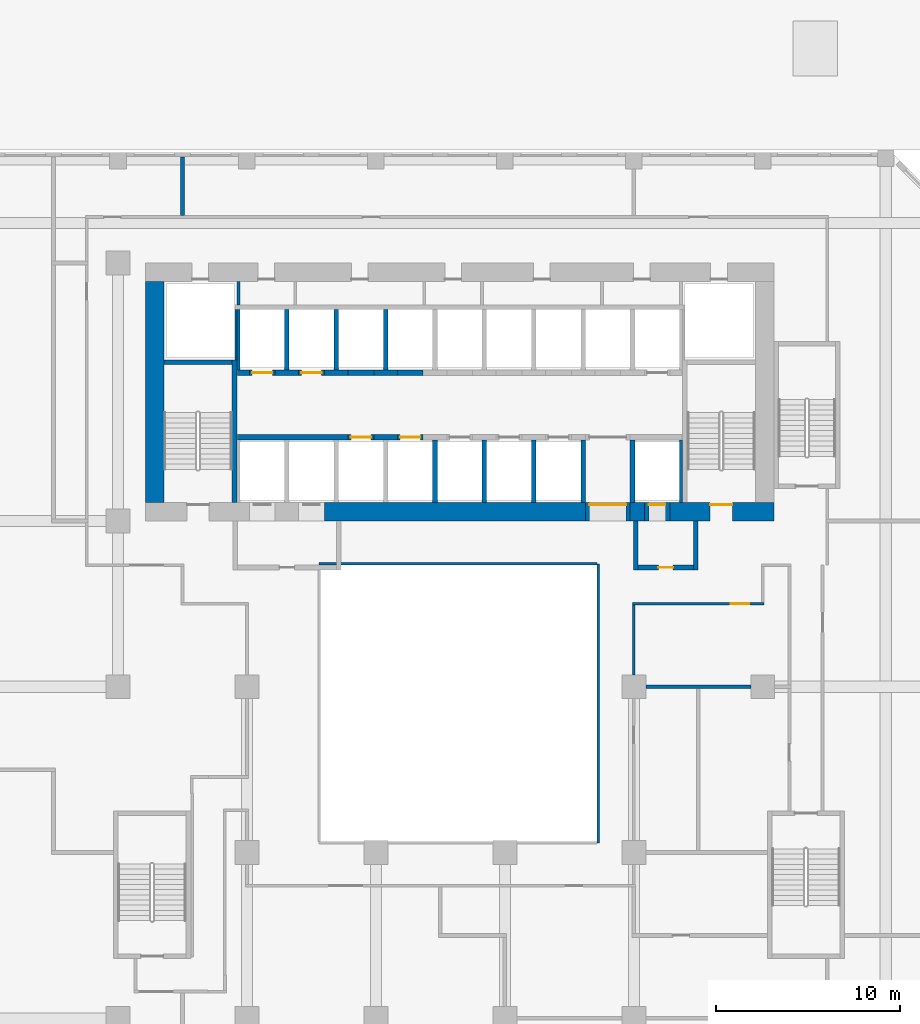
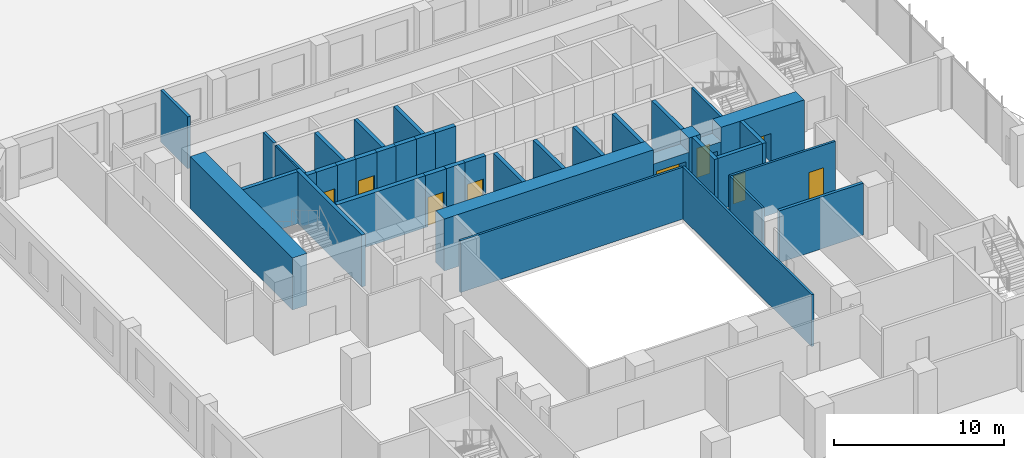
# One storey, part 17 of 29: 41 walls, 9 doors, 9 openings.
"""IFC4 building model written with IfcOpenShell, lengths in metres."""

from ifc_helpers import new_model, si_unit, direction, frame, frame_2d, origin, place, context, subcontext, project, spatial, rectangle, extrude, source, transform, mapped, material, layer, layer_set, type_object, element, fill, save


model = new_model("IFC4")

# Units and contexts
model_context = context("Model", 3, precision=1e-05, world=origin(), true_north=direction((0.0, 1.0)))
body_context = subcontext(model_context, "Body", "Model", "MODEL_VIEW")
ifc_project = project(units=[si_unit("LENGTHUNIT", "METRE"), si_unit("AREAUNIT", "SQUARE_METRE"), si_unit("VOLUMEUNIT", "CUBIC_METRE"), si_unit("PLANEANGLEUNIT", "RADIAN"), si_unit("MASSUNIT", "GRAM", prefix="KILO")], contexts=[model_context])

# Site, building, storey
site_placement = place(None, origin())
site = spatial("IfcSite", under=ifc_project, at=site_placement, CompositionType="ELEMENT")
building_placement = place(site_placement, origin())
building = spatial("IfcBuilding", under=site, at=building_placement, Name="Kilnfold Tower and Market Hall", CompositionType="ELEMENT")
storey_placement = place(building_placement, frame((0.0, 0.0, 27.0)))
storey = spatial("IfcBuildingStorey", under=building, at=storey_placement, Name="L05", CompositionType="ELEMENT", Elevation=27.0)

# Walls
ifc_material_1 = material(Name="Fire-resisting glazed screen")
ifc_layer_1 = layer(ifc_material_1, 0.14990234375)
ifc_layer_set_1 = layer_set([ifc_layer_1], Name="Fire-resisting glazed screen")
wall_type_1 = type_object("IfcWallType", Name="WALL ATRIUM 150", PredefinedType="PARTITIONING", material=ifc_layer_set_1)
wall_1_placement = place(storey_placement, frame((-6.574951171875, 5.675048828125, 0.0), z_axis=(0.0, 0.0, 1.0), x_axis=(1.0, 0.0, 0.0)))
element("IfcWall", 1, at=wall_1_placement, inside=storey, type_object=wall_type_1, Name="Partition LY06.62", PredefinedType="PARTITIONING", context=body_context, shape_type="SweptSolid", body=[
    extrude(rectangle(XDim=15.074951171875, YDim=0.14990234375, at=frame_2d((7.53759765625, 0.0))), origin(), (0.0, 0.0, 1.0), 3.719970703125),
])
wall_2_placement = place(storey_placement, frame((8.574951171875, 5.675048828125, 0.0), z_axis=(0.0, 0.0, 1.0), x_axis=(0.0, -1.0, 0.0)))
element("IfcWall", 2, at=wall_2_placement, inside=storey, type_object=wall_type_1, Name="Partition LY06.63", PredefinedType="PARTITIONING", context=body_context, shape_type="SweptSolid", body=[
    extrude(rectangle(XDim=15.150146484375, YDim=0.14990234375, at=frame_2d((7.5751953125, 0.0))), origin(), (0.0, 0.0, 1.0), 3.719970703125),
])

# Wall, opening, door
ifc_material_2 = material(Name="Gypsum board on steel studs", Category="steel")
ifc_layer_2 = layer(ifc_material_2, 0.14990234375)
ifc_layer_set_2 = layer_set([ifc_layer_2], Name="Gypsum board on steel studs")
wall_type_2 = type_object("IfcWallType", Name="WALL CORRIDOR 150", PredefinedType="PARTITIONING", material=ifc_layer_set_2)
wall_3_placement = place(storey_placement, frame((10.425048828125, 3.5, 0.0), z_axis=(0.0, 0.0, 1.0), x_axis=(1.0, 0.0, 0.0)))
wall_3 = element("IfcWall", 3, at=wall_3_placement, inside=storey, type_object=wall_type_2, Name="Partition LY06.26", PredefinedType="PARTITIONING", context=body_context, shape_type="SweptSolid", body=[
    extrude(rectangle(XDim=7.14990234375, YDim=0.14990234375, at=frame_2d((3.574951171875, 0.0))), origin(), (0.0, 0.0, 1.0), 3.719970703125),
])
opening_1_placement = place(wall_3_placement, frame((5.344970703125, 0.0, 0.0)))
opening_1 = element("IfcOpeningElement", 4, at=opening_1_placement, cuts=wall_3, Name="Opening D1", PredefinedType="OPENING", context=body_context, shape_type="SweptSolid", body=[
    extrude(rectangle(XDim=1.0, YDim=2.10009765625, at=frame_2d((0.5, 1.050048828125))), frame((0.0, 0.0849609375, 0.0), z_axis=(0.0, -1.0, 0.0), x_axis=(1.0, 0.0, 0.0)), (0.0, 0.0, 1.0), 0.169921875),
])
ifc_material_3 = material(Name="Timber veneer door leaf in steel frame", Category="steel")
door_type_1 = type_object("IfcDoorType", Name="DOOR ENTRY 1000 X2100", OperationType="NOTDEFINED", PredefinedType="DOOR", material=ifc_material_3)
door_1_placement = place(opening_1_placement, origin())
door_1 = element("IfcDoor", 5, at=door_1_placement, inside=storey, type_object=door_type_1, Name="Door D1", OperationType="SINGLE_SWING_RIGHT", OverallHeight=2.10009765625, OverallWidth=1.0, PredefinedType="DOOR", context=body_context, shape_type="SweptSolid", body=[
    extrude(rectangle(XDim=1.0, YDim=2.10009765625, at=frame_2d((0.5, 1.050048828125))), frame((0.0, 0.02490234375, 0.0), z_axis=(0.0, -1.0, 0.0), x_axis=(1.0, 0.0, 0.0)), (0.0, 0.0, 1.0), 0.050048828125),
])
fill(opening_1, door_1)

# Walls
wall_4_placement = place(storey_placement, frame((10.5, -0.35009765625, 0.0), z_axis=(0.0, 0.0, 1.0), x_axis=(0.0, 1.0, 0.0)))
element("IfcWall", 6, at=wall_4_placement, inside=storey, type_object=wall_type_2, Name="Partition LY06.27", PredefinedType="PARTITIONING", context=body_context, shape_type="SweptSolid", body=[
    extrude(rectangle(XDim=3.775146484375, YDim=0.14990234375, at=frame_2d((1.8876953125, 0.0))), origin(), (0.0, 0.0, 1.0), 3.719970703125),
])
ifc_material_4 = material(Name="Gypsum board on steel studs", Category="steel")
ifc_layer_3 = layer(ifc_material_4, 0.199951171875)
ifc_layer_set_3 = layer_set([ifc_layer_3], Name="Gypsum board on steel studs")
wall_type_3 = type_object("IfcWallType", Name="WALL PARTY 200", PredefinedType="PARTITIONING", material=ifc_layer_set_3)
wall_5_placement = place(storey_placement, frame((11.14990234375, -1.0, 0.0), z_axis=(0.0, 0.0, 1.0), x_axis=(1.0, 0.0, 0.0)))
element("IfcWall", 7, at=wall_5_placement, inside=storey, type_object=wall_type_3, Name="Partition LY06.54", PredefinedType="PARTITIONING", context=body_context, shape_type="SweptSolid", body=[
    extrude(rectangle(XDim=5.7001953125, YDim=0.199951171875, at=frame_2d((2.85009765625, 0.0))), origin(), (0.0, 0.0, 1.0), 3.719970703125),
])
wall_6_placement = place(storey_placement, frame((-14.0, 24.575927734375, 0.0), z_axis=(0.0, 0.0, 1.0), x_axis=(0.0, 1.0, 0.0)))
element("IfcWall", 8, at=wall_6_placement, inside=storey, type_object=wall_type_3, Name="Partition LY06.58", PredefinedType="PARTITIONING", context=body_context, shape_type="SweptSolid", body=[
    extrude(rectangle(XDim=3.174072265625, YDim=0.199951171875, at=frame_2d((1.5869140625, 0.0))), origin(), (0.0, 0.0, 1.0), 3.719970703125),
])
ifc_material_5 = material(Name="Concrete C80", Category="concrete")
ifc_layer_4 = layer(ifc_material_5, 1.0)
ifc_layer_set_4 = layer_set([ifc_layer_4], Name="Concrete C80")
wall_type_4 = type_object("IfcWallType", Name="CORE WALL 1000 C80", PredefinedType="SHEAR", material=ifc_layer_set_4)
shared_shape_1 = source(origin(), body_context, "Body", "SweptSolid", [
    extrude(rectangle(XDim=14.179931640625, YDim=1.0, at=frame_2d((7.08984375, 0.0))), origin(), (0.0, 0.0, 1.0), 3.719970703125),
])
wall_7_placement = place(storey_placement, frame((-6.2900390625, 8.5, 0.0), z_axis=(0.0, 0.0, 1.0), x_axis=(1.0, 0.0, 0.0)))
element("IfcWall", 9, at=wall_7_placement, inside=storey, type_object=wall_type_4, Name="Core outer wall south", PredefinedType="SHEAR", context=body_context, shape_type="MappedRepresentation", body=[
    mapped(shared_shape_1, transform((0.0, 0.0, 0.0))),
])
shared_shape_2 = source(origin(), body_context, "Body", "SweptSolid", [
    extrude(rectangle(XDim=0.780029296875, YDim=1.0, at=frame_2d((0.39013671875, 0.0))), origin(), (0.0, 0.0, 1.0), 3.719970703125),
])
wall_8_placement = place(storey_placement, frame((10.2900390625, 8.5, 0.0), z_axis=(0.0, 0.0, 1.0), x_axis=(1.0, 0.0, 0.0)))
element("IfcWall", 10, at=wall_8_placement, inside=storey, type_object=wall_type_4, Name="Core outer wall south", PredefinedType="SHEAR", context=body_context, shape_type="MappedRepresentation", body=[
    mapped(shared_shape_2, transform((0.0, 0.0, 0.0))),
])

# Wall, opening, door
shared_shape_3 = source(origin(), body_context, "Body", "SweptSolid", [
    extrude(rectangle(XDim=5.630126953125, YDim=1.0, at=frame_2d((2.81494140625, 0.0))), origin(), (0.0, 0.0, 1.0), 3.719970703125),
])
wall_9_placement = place(storey_placement, frame((12.469970703125, 8.5, 0.0), z_axis=(0.0, 0.0, 1.0), x_axis=(1.0, 0.0, 0.0)))
wall_9 = element("IfcWall", 11, at=wall_9_placement, inside=storey, type_object=wall_type_4, Name="Core outer wall south", PredefinedType="SHEAR", context=body_context, shape_type="MappedRepresentation", body=[
    mapped(shared_shape_3, transform((0.0, 0.0, 0.0))),
])
opening_2_placement = place(wall_9_placement, frame((2.179931640625, 0.0, 0.0)))
opening_2 = element("IfcOpeningElement", 12, at=opening_2_placement, cuts=wall_9, Name="Opening SD1", PredefinedType="OPENING", context=body_context, shape_type="SweptSolid", body=[
    extrude(rectangle(XDim=1.199951171875, YDim=2.10009765625, at=frame_2d((0.60009765625, 1.050048828125))), frame((0.0, 0.510009765625, 0.0), z_axis=(0.0, -1.0, 0.0), x_axis=(1.0, 0.0, 0.0)), (0.0, 0.0, 1.0), 1.02001953125),
])
ifc_material_6 = material(Name="Steel door set with fire-resisting leaf", Category="steel")
door_type_2 = type_object("IfcDoorType", Name="STAIR FLOOR DOOR 1200X2100", OperationType="NOTDEFINED", PredefinedType="DOOR", material=ifc_material_6)
door_2_placement = place(opening_2_placement, origin())
door_2 = element("IfcDoor", 13, at=door_2_placement, inside=storey, type_object=door_type_2, Name="Exit stair ST2 door", OperationType="DOUBLE_DOOR_SINGLE_SWING", OverallHeight=2.10009765625, OverallWidth=1.199951171875, PredefinedType="DOOR", context=body_context, shape_type="SweptSolid", body=[
    extrude(rectangle(XDim=1.199951171875, YDim=2.10009765625, at=frame_2d((0.60009765625, 1.050048828125))), frame((0.0, 0.40478515625, 0.0), z_axis=(0.0, -1.0, 0.0), x_axis=(1.0, 0.0, 0.0)), (0.0, 0.0, 1.0), 0.050048828125),
])
fill(opening_2, door_2)

# Walls
shared_shape_4 = source(origin(), body_context, "Body", "SweptSolid", [
    extrude(rectangle(XDim=12.0, YDim=1.0, at=frame_2d((6.0, 0.0))), origin(), (0.0, 0.0, 1.0), 3.719970703125),
])
wall_10_placement = place(storey_placement, frame((-15.5, 9.0, 0.0), z_axis=(0.0, 0.0, 1.0), x_axis=(0.0, 1.0, 0.0)))
element("IfcWall", 14, at=wall_10_placement, inside=storey, type_object=wall_type_4, Name="Core outer wall west", PredefinedType="SHEAR", context=body_context, shape_type="MappedRepresentation", body=[
    mapped(shared_shape_4, transform((0.0, 0.0, 0.0))),
])
ifc_material_7 = material(Name="Concrete C80", Category="concrete")
ifc_layer_5 = layer(ifc_material_7, 0.25)
ifc_layer_set_5 = layer_set([ifc_layer_5], Name="Concrete C80")
wall_type_5 = type_object("IfcWallType", Name="CORE WALL 250 C80", PredefinedType="SHEAR", material=ifc_layer_set_5)
shared_shape_5 = source(origin(), body_context, "Body", "SweptSolid", [
    extrude(rectangle(XDim=7.75, YDim=0.25, at=frame_2d((3.875, 0.0))), origin(), (0.0, 0.0, 1.0), 3.719970703125),
])
wall_11_placement = place(storey_placement, frame((-11.175048828125, 9.0, 0.0), z_axis=(0.0, 0.0, 1.0), x_axis=(0.0, 1.0, 0.0)))
element("IfcWall", 15, at=wall_11_placement, inside=storey, type_object=wall_type_5, Name="Stair enclosure ST1", PredefinedType="SHEAR", context=body_context, shape_type="MappedRepresentation", body=[
    mapped(shared_shape_5, transform((0.0, 0.0, 0.0))),
])
shared_shape_6 = source(origin(), body_context, "Body", "SweptSolid", [
    extrude(rectangle(XDim=3.699951171875, YDim=0.25, at=frame_2d((1.85009765625, 0.0))), origin(), (0.0, 0.0, 1.0), 3.719970703125),
])
wall_12_placement = place(storey_placement, frame((-15.0, 16.625, 0.0), z_axis=(0.0, 0.0, 1.0), x_axis=(1.0, 0.0, 0.0)))
element("IfcWall", 16, at=wall_12_placement, inside=storey, type_object=wall_type_5, Name="Stair enclosure ST1", PredefinedType="SHEAR", context=body_context, shape_type="MappedRepresentation", body=[
    mapped(shared_shape_6, transform((0.0, 0.0, 0.0))),
])
ifc_material_8 = material(Name="Concrete C80", Category="concrete")
ifc_layer_6 = layer(ifc_material_8, 0.300048828125)
ifc_layer_set_6 = layer_set([ifc_layer_6], Name="Concrete C80")
wall_type_6 = type_object("IfcWallType", Name="CORE WALL 300 C80", PredefinedType="SHEAR", material=ifc_layer_set_6)
shared_shape_7 = source(origin(), body_context, "Body", "SweptSolid", [
    extrude(rectangle(XDim=6.0, YDim=0.300048828125, at=frame_2d((3.0, 0.0))), origin(), (0.0, 0.0, 1.0), 3.719970703125),
])
wall_13_placement = place(storey_placement, frame((-11.010009765625, 12.550048828125, 0.0), z_axis=(0.0, 0.0, 1.0), x_axis=(1.0, 0.0, 0.0)))
element("IfcWall", 17, at=wall_13_placement, inside=storey, type_object=wall_type_6, Name="Core spine wall", PredefinedType="SHEAR", context=body_context, shape_type="MappedRepresentation", body=[
    mapped(shared_shape_7, transform((0.0, 0.0, 0.0))),
])
shared_shape_8 = source(origin(), body_context, "Body", "SweptSolid", [
    extrude(rectangle(XDim=1.280029296875, YDim=0.300048828125, at=frame_2d((0.64013671875, 0.0))), origin(), (0.0, 0.0, 1.0), 3.719970703125),
])
for number, where, z_axis, x_axis, name in (
    (18, (-3.610107421875, 12.550048828125, 0.0), (0.0, 0.0, 1.0), (1.0, 0.0, 0.0), "Core spine wall"),
    (19, (-8.969970703125, 16.050048828125, 0.0), (0.0, 0.0, 1.0), (1.0, 0.0, 0.0), "Core spine wall"),
    (20, (-6.2900390625, 16.050048828125, 0.0), (0.0, 0.0, 1.0), (1.0, 0.0, 0.0), "Core spine wall"),
    (21, (-3.610107421875, 16.050048828125, 0.0), (0.0, 0.0, 1.0), (1.0, 0.0, 0.0), "Core spine wall"),
):
    element("IfcWall", number, at=place(storey_placement, frame(where, z_axis=z_axis, x_axis=x_axis)), inside=storey, type_object=wall_type_6, Name=name, PredefinedType="SHEAR", context=body_context, shape_type="MappedRepresentation", body=[
        mapped(shared_shape_8, transform((0.0, 0.0, 0.0))),
    ])
shared_shape_9 = source(origin(), body_context, "Body", "SweptSolid", [
    extrude(rectangle(XDim=0.639892578125, YDim=0.300048828125, at=frame_2d((0.31982421875, 0.0))), origin(), (0.0, 0.0, 1.0), 3.719970703125),
])
wall_14_placement = place(storey_placement, frame((-11.010009765625, 16.050048828125, 0.0), z_axis=(0.0, 0.0, 1.0), x_axis=(1.0, 0.0, 0.0)))
element("IfcWall", 22, at=wall_14_placement, inside=storey, type_object=wall_type_6, Name="Core spine wall", PredefinedType="SHEAR", context=body_context, shape_type="MappedRepresentation", body=[
    mapped(shared_shape_9, transform((0.0, 0.0, 0.0))),
])

# Wall, opening, door
ifc_material_9 = material(Name="Gypsum shaft wall system")
ifc_layer_7 = layer(ifc_material_9, 1.0)
ifc_layer_set_7 = layer_set([ifc_layer_7], Name="Gypsum shaft wall system")
wall_type_7 = type_object("IfcWallType", Name="LOBBY WALL 1000", PredefinedType="PARTITIONING", material=ifc_layer_set_7)
shared_shape_10 = source(origin(), body_context, "Body", "SweptSolid", [
    extrude(rectangle(XDim=1.39990234375, YDim=1.0, at=frame_2d((0.699951171875, 0.0))), origin(), (0.0, 0.0, 1.0), 2.699951171875),
])
wall_15_placement = place(storey_placement, frame((11.070068359375, 8.5, 0.0), z_axis=(0.0, 0.0, 1.0), x_axis=(1.0, 0.0, 0.0)))
wall_15 = element("IfcWall", 23, at=wall_15_placement, inside=storey, type_object=wall_type_7, Name="Core wall infill", PredefinedType="PARTITIONING", context=body_context, shape_type="MappedRepresentation", body=[
    mapped(shared_shape_10, transform((0.0, 0.0, 0.0))),
])
opening_3_placement = place(wall_15_placement, frame((0.25, 0.0, 0.0)))
opening_3 = element("IfcOpeningElement", 24, at=opening_3_placement, cuts=wall_15, Name="Opening LD1", PredefinedType="OPENING", context=body_context, shape_type="SweptSolid", body=[
    extrude(rectangle(XDim=0.89990234375, YDim=2.10009765625, at=frame_2d((0.449951171875, 1.050048828125))), frame((0.0, 0.510009765625, 0.0), z_axis=(0.0, -1.0, 0.0), x_axis=(1.0, 0.0, 0.0)), (0.0, 0.0, 1.0), 1.02001953125),
])
ifc_material_10 = material(Name="Steel door set with fire-resisting leaf", Category="steel")
door_type_3 = type_object("IfcDoorType", Name="FIREFIGHTING LANDING DOOR 900X2100", OperationType="NOTDEFINED", PredefinedType="DOOR", material=ifc_material_10)
door_3_placement = place(opening_3_placement, origin())
door_3 = element("IfcDoor", 25, at=door_3_placement, inside=storey, type_object=door_type_3, Name="Landing door FF3", OperationType="SLIDING_TO_LEFT", OverallHeight=2.10009765625, OverallWidth=0.89990234375, PredefinedType="DOOR", context=body_context, shape_type="SweptSolid", body=[
    extrude(rectangle(XDim=0.89990234375, YDim=2.10009765625, at=frame_2d((0.449951171875, 1.050048828125))), frame((0.0, 0.40478515625, 0.0), z_axis=(0.0, -1.0, 0.0), x_axis=(1.0, 0.0, 0.0)), (0.0, 0.0, 1.0), 0.050048828125),
])
fill(opening_3, door_3)

shared_shape_11 = source(origin(), body_context, "Body", "SweptSolid", [
    extrude(rectangle(XDim=2.400146484375, YDim=1.0, at=frame_2d((1.2001953125, 0.0))), origin(), (0.0, 0.0, 1.0), 2.699951171875),
])
wall_16_placement = place(storey_placement, frame((7.889892578125, 8.5, 0.0), z_axis=(0.0, 0.0, 1.0), x_axis=(1.0, 0.0, 0.0)))
wall_16 = element("IfcWall", 26, at=wall_16_placement, inside=storey, type_object=wall_type_7, Name="Core wall infill", PredefinedType="PARTITIONING", context=body_context, shape_type="MappedRepresentation", body=[
    mapped(shared_shape_11, transform((0.0, 0.0, 0.0))),
])
opening_4_placement = place(wall_16_placement, frame((0.199951171875, 0.0, 0.0)))
opening_4 = element("IfcOpeningElement", 27, at=opening_4_placement, cuts=wall_16, Name="Opening VD2", PredefinedType="OPENING", context=body_context, shape_type="SweptSolid", body=[
    extrude(rectangle(XDim=2.0, YDim=2.10009765625, at=frame_2d((1.0, 1.050048828125))), frame((0.0, 0.510009765625, 0.0), z_axis=(0.0, -1.0, 0.0), x_axis=(1.0, 0.0, 0.0)), (0.0, 0.0, 1.0), 1.02001953125),
])
ifc_material_11 = material(Name="Steel door set with fire-resisting leaf", Category="steel")
door_type_4 = type_object("IfcDoorType", Name="LIFT LOBBY ENTRANCE DOOR 2000X2100", OperationType="NOTDEFINED", PredefinedType="DOOR", material=ifc_material_11)
door_4_placement = place(opening_4_placement, origin())
door_4 = element("IfcDoor", 28, at=door_4_placement, inside=storey, type_object=door_type_4, Name="Lift lobby entrance door", OperationType="DOUBLE_DOOR_SINGLE_SWING", OverallHeight=2.10009765625, OverallWidth=2.0, PredefinedType="DOOR", context=body_context, shape_type="SweptSolid", body=[
    extrude(rectangle(XDim=2.0, YDim=2.10009765625, at=frame_2d((1.0, 1.050048828125))), frame((0.0, 0.40478515625, 0.0), z_axis=(0.0, -1.0, 0.0), x_axis=(1.0, 0.0, 0.0)), (0.0, 0.0, 1.0), 0.050048828125),
])
fill(opening_4, door_4)

ifc_material_12 = material(Name="Gypsum shaft wall system")
ifc_layer_8 = layer(ifc_material_12, 0.300048828125)
ifc_layer_set_8 = layer_set([ifc_layer_8], Name="Gypsum shaft wall system")
wall_type_8 = type_object("IfcWallType", Name="SHAFT WALL 300", PredefinedType="PARTITIONING", material=ifc_layer_set_8)
shared_shape_12 = source(origin(), body_context, "Body", "SweptSolid", [
    extrude(rectangle(XDim=1.39990234375, YDim=0.300048828125, at=frame_2d((0.699951171875, 0.0))), origin(), (0.0, 0.0, 1.0), 3.719970703125),
])
wall_17_placement = place(storey_placement, frame((-5.010009765625, 12.550048828125, 0.0), z_axis=(0.0, 0.0, 1.0), x_axis=(1.0, 0.0, 0.0)))
wall_17 = element("IfcWall", 29, at=wall_17_placement, inside=storey, type_object=wall_type_8, Name="Lift shaft front wall", PredefinedType="PARTITIONING", context=body_context, shape_type="MappedRepresentation", body=[
    mapped(shared_shape_12, transform((0.0, 0.0, 0.0))),
])
opening_5_placement = place(wall_17_placement, frame((0.14990234375, 0.0, 0.0)))
opening_5 = element("IfcOpeningElement", 30, at=opening_5_placement, cuts=wall_17, Name="Opening LD2", PredefinedType="OPENING", context=body_context, shape_type="SweptSolid", body=[
    extrude(rectangle(XDim=1.10009765625, YDim=2.10009765625, at=frame_2d((0.550048828125, 1.050048828125))), frame((0.0, 0.16015625, 0.0), z_axis=(0.0, -1.0, 0.0), x_axis=(1.0, 0.0, 0.0)), (0.0, 0.0, 1.0), 0.320068359375),
])
ifc_material_13 = material(Name="Steel door set with fire-resisting leaf", Category="steel")
door_type_5 = type_object("IfcDoorType", Name="LANDING DOOR 1100X2100", OperationType="NOTDEFINED", PredefinedType="DOOR", material=ifc_material_13)
door_5_placement = place(opening_5_placement, origin())
door_5 = element("IfcDoor", 31, at=door_5_placement, inside=storey, type_object=door_type_5, Name="Landing door LR1", OperationType="DOUBLE_DOOR_SLIDING", OverallHeight=2.10009765625, OverallWidth=1.10009765625, PredefinedType="DOOR", context=body_context, shape_type="SweptSolid", body=[
    extrude(rectangle(XDim=1.10009765625, YDim=2.10009765625, at=frame_2d((0.550048828125, 1.050048828125))), frame((0.0, 0.02490234375, 0.0), z_axis=(0.0, -1.0, 0.0), x_axis=(1.0, 0.0, 0.0)), (0.0, 0.0, 1.0), 0.050048828125),
])
fill(opening_5, door_5)

wall_18_placement = place(storey_placement, frame((-7.68994140625, 16.050048828125, 0.0), z_axis=(0.0, 0.0, 1.0), x_axis=(1.0, 0.0, 0.0)))
wall_18 = element("IfcWall", 32, at=wall_18_placement, inside=storey, type_object=wall_type_8, Name="Lift shaft front wall", PredefinedType="PARTITIONING", context=body_context, shape_type="MappedRepresentation", body=[
    mapped(shared_shape_12, transform((0.0, 0.0, 0.0))),
])
opening_6_placement = place(wall_18_placement, frame((0.14990234375, 0.0, 0.0)))
opening_6 = element("IfcOpeningElement", 33, at=opening_6_placement, cuts=wall_18, Name="Opening LD2", PredefinedType="OPENING", context=body_context, shape_type="SweptSolid", body=[
    extrude(rectangle(XDim=1.10009765625, YDim=2.10009765625, at=frame_2d((0.550048828125, 1.050048828125))), frame((0.0, 0.16015625, 0.0), z_axis=(0.0, -1.0, 0.0), x_axis=(1.0, 0.0, 0.0)), (0.0, 0.0, 1.0), 0.320068359375),
])
door_6_placement = place(opening_6_placement, origin())
door_6 = element("IfcDoor", 34, at=door_6_placement, inside=storey, type_object=door_type_5, Name="Landing door LR8", OperationType="DOUBLE_DOOR_SLIDING", OverallHeight=2.10009765625, OverallWidth=1.10009765625, PredefinedType="DOOR", context=body_context, shape_type="SweptSolid", body=[
    extrude(rectangle(XDim=1.10009765625, YDim=2.10009765625, at=frame_2d((0.550048828125, 1.050048828125))), frame((0.0, 0.02490234375, 0.0), z_axis=(0.0, -1.0, 0.0), x_axis=(1.0, 0.0, 0.0)), (0.0, 0.0, 1.0), 0.050048828125),
])
fill(opening_6, door_6)

# Wall
wall_19_placement = place(storey_placement, frame((-5.010009765625, 16.050048828125, 0.0), z_axis=(0.0, 0.0, 1.0), x_axis=(1.0, 0.0, 0.0)))
element("IfcWall", 35, at=wall_19_placement, inside=storey, type_object=wall_type_8, Name="Lift shaft front wall", PredefinedType="PARTITIONING", context=body_context, shape_type="MappedRepresentation", body=[
    mapped(shared_shape_12, transform((0.0, 0.0, 0.0))),
])

# Wall, opening, door
shared_shape_13 = source(origin(), body_context, "Body", "SweptSolid", [
    extrude(rectangle(XDim=1.400146484375, YDim=0.300048828125, at=frame_2d((0.7001953125, 0.0))), origin(), (0.0, 0.0, 1.0), 3.719970703125),
])
wall_20_placement = place(storey_placement, frame((-2.330078125, 12.550048828125, 0.0), z_axis=(0.0, 0.0, 1.0), x_axis=(1.0, 0.0, 0.0)))
wall_20 = element("IfcWall", 36, at=wall_20_placement, inside=storey, type_object=wall_type_8, Name="Lift shaft front wall", PredefinedType="PARTITIONING", context=body_context, shape_type="MappedRepresentation", body=[
    mapped(shared_shape_13, transform((0.0, 0.0, 0.0))),
])
opening_7_placement = place(wall_20_placement, frame((0.14990234375, 0.0, 0.0)))
opening_7 = element("IfcOpeningElement", 37, at=opening_7_placement, cuts=wall_20, Name="Opening LD2", PredefinedType="OPENING", context=body_context, shape_type="SweptSolid", body=[
    extrude(rectangle(XDim=1.10009765625, YDim=2.10009765625, at=frame_2d((0.550048828125, 1.050048828125))), frame((0.0, 0.16015625, 0.0), z_axis=(0.0, -1.0, 0.0), x_axis=(1.0, 0.0, 0.0)), (0.0, 0.0, 1.0), 0.320068359375),
])
door_7_placement = place(opening_7_placement, origin())
door_7 = element("IfcDoor", 38, at=door_7_placement, inside=storey, type_object=door_type_5, Name="Landing door LR2", OperationType="DOUBLE_DOOR_SLIDING", OverallHeight=2.10009765625, OverallWidth=1.10009765625, PredefinedType="DOOR", context=body_context, shape_type="SweptSolid", body=[
    extrude(rectangle(XDim=1.10009765625, YDim=2.10009765625, at=frame_2d((0.550048828125, 1.050048828125))), frame((0.0, 0.02490234375, 0.0), z_axis=(0.0, -1.0, 0.0), x_axis=(1.0, 0.0, 0.0)), (0.0, 0.0, 1.0), 0.050048828125),
])
fill(opening_7, door_7)

wall_21_placement = place(storey_placement, frame((-10.3701171875, 16.050048828125, 0.0), z_axis=(0.0, 0.0, 1.0), x_axis=(1.0, 0.0, 0.0)))
wall_21 = element("IfcWall", 39, at=wall_21_placement, inside=storey, type_object=wall_type_8, Name="Lift shaft front wall", PredefinedType="PARTITIONING", context=body_context, shape_type="MappedRepresentation", body=[
    mapped(shared_shape_13, transform((0.0, 0.0, 0.0))),
])
opening_8_placement = place(wall_21_placement, frame((0.14990234375, 0.0, 0.0)))
opening_8 = element("IfcOpeningElement", 40, at=opening_8_placement, cuts=wall_21, Name="Opening LD2", PredefinedType="OPENING", context=body_context, shape_type="SweptSolid", body=[
    extrude(rectangle(XDim=1.10009765625, YDim=2.10009765625, at=frame_2d((0.550048828125, 1.050048828125))), frame((0.0, 0.16015625, 0.0), z_axis=(0.0, -1.0, 0.0), x_axis=(1.0, 0.0, 0.0)), (0.0, 0.0, 1.0), 0.320068359375),
])
door_8_placement = place(opening_8_placement, origin())
door_8 = element("IfcDoor", 41, at=door_8_placement, inside=storey, type_object=door_type_5, Name="Landing door LR7", OperationType="DOUBLE_DOOR_SLIDING", OverallHeight=2.10009765625, OverallWidth=1.10009765625, PredefinedType="DOOR", context=body_context, shape_type="SweptSolid", body=[
    extrude(rectangle(XDim=1.10009765625, YDim=2.10009765625, at=frame_2d((0.550048828125, 1.050048828125))), frame((0.0, 0.02490234375, 0.0), z_axis=(0.0, -1.0, 0.0), x_axis=(1.0, 0.0, 0.0)), (0.0, 0.0, 1.0), 0.050048828125),
])
fill(opening_8, door_8)

# Walls
wall_22_placement = place(storey_placement, frame((-2.330078125, 16.050048828125, 0.0), z_axis=(0.0, 0.0, 1.0), x_axis=(1.0, 0.0, 0.0)))
element("IfcWall", 42, at=wall_22_placement, inside=storey, type_object=wall_type_8, Name="Lift shaft front wall", PredefinedType="PARTITIONING", context=body_context, shape_type="MappedRepresentation", body=[
    mapped(shared_shape_13, transform((0.0, 0.0, 0.0))),
])
ifc_material_14 = material(Name="Gypsum shaft wall system")
ifc_layer_9 = layer(ifc_material_14, 0.25)
ifc_layer_set_9 = layer_set([ifc_layer_9], Name="Gypsum shaft wall system")
wall_type_9 = type_object("IfcWallType", Name="LOBBY WALL 250", PredefinedType="PARTITIONING", material=ifc_layer_set_9)
shared_shape_14 = source(origin(), body_context, "Body", "SweptSolid", [
    extrude(rectangle(XDim=2.64990234375, YDim=0.25, at=frame_2d((1.324951171875, 0.0))), origin(), (0.0, 0.0, 1.0), 3.719970703125),
])
for number, where, z_axis, x_axis, name in (
    (43, (10.60498046875, 5.35009765625, 0.0), (0.0, 0.0, 1.0), (0.0, 1.0, 0.0), "Firefighting lobby wall"),
    (44, (13.85498046875, 5.35009765625, 0.0), (0.0, 0.0, 1.0), (0.0, 1.0, 0.0), "Firefighting lobby wall"),
):
    element("IfcWall", number, at=place(storey_placement, frame(where, z_axis=z_axis, x_axis=x_axis)), inside=storey, type_object=wall_type_9, Name=name, PredefinedType="PARTITIONING", context=body_context, shape_type="MappedRepresentation", body=[
        mapped(shared_shape_14, transform((0.0, 0.0, 0.0))),
    ])

# Wall, opening, door
shared_shape_15 = source(origin(), body_context, "Body", "SweptSolid", [
    extrude(rectangle(XDim=3.0, YDim=0.25, at=frame_2d((1.5, 0.0))), origin(), (0.0, 0.0, 1.0), 3.719970703125),
])
wall_23_placement = place(storey_placement, frame((10.72998046875, 5.47509765625, 0.0), z_axis=(0.0, 0.0, 1.0), x_axis=(1.0, 0.0, 0.0)))
wall_23 = element("IfcWall", 45, at=wall_23_placement, inside=storey, type_object=wall_type_9, Name="Firefighting lobby wall", PredefinedType="PARTITIONING", context=body_context, shape_type="MappedRepresentation", body=[
    mapped(shared_shape_15, transform((0.0, 0.0, 0.0))),
])
opening_9_placement = place(wall_23_placement, frame((1.10009765625, 0.0, 0.0)))
opening_9 = element("IfcOpeningElement", 46, at=opening_9_placement, cuts=wall_23, Name="Opening VD1", PredefinedType="OPENING", context=body_context, shape_type="SweptSolid", body=[
    extrude(rectangle(XDim=0.800048828125, YDim=2.0, at=frame_2d((0.39990234375, 1.0))), frame((0.0, 0.135009765625, 0.0), z_axis=(0.0, -1.0, 0.0), x_axis=(1.0, 0.0, 0.0)), (0.0, 0.0, 1.0), 0.27001953125),
])
ifc_material_15 = material(Name="Steel door set with fire-resisting leaf", Category="steel")
door_type_6 = type_object("IfcDoorType", Name="FIREFIGHTING LOBBY DOOR 800X2000", OperationType="NOTDEFINED", PredefinedType="DOOR", material=ifc_material_15)
door_9_placement = place(opening_9_placement, origin())
door_9 = element("IfcDoor", 47, at=door_9_placement, inside=storey, type_object=door_type_6, Name="Firefighting lobby door", OperationType="SINGLE_SWING_RIGHT", OverallHeight=2.0, OverallWidth=0.800048828125, PredefinedType="DOOR", context=body_context, shape_type="SweptSolid", body=[
    extrude(rectangle(XDim=0.800048828125, YDim=2.0, at=frame_2d((0.39990234375, 1.0))), frame((0.0, 0.02490234375, 0.0), z_axis=(0.0, -1.0, 0.0), x_axis=(1.0, 0.0, 0.0)), (0.0, 0.0, 1.0), 0.050048828125),
])
fill(opening_9, door_9)

# Walls
ifc_material_16 = material(Name="Gypsum shaft wall system")
ifc_layer_10 = layer(ifc_material_16, 0.1650390625)
ifc_layer_set_10 = layer_set([ifc_layer_10], Name="Gypsum shaft wall system")
wall_type_10 = type_object("IfcWallType", Name="SHAFT WALL 165", PredefinedType="PARTITIONING", material=ifc_layer_set_10)
shared_shape_16 = source(origin(), body_context, "Body", "SweptSolid", [
    extrude(rectangle(XDim=3.275146484375, YDim=0.1650390625, at=frame_2d((1.6376953125, 0.0))), origin(), (0.0, 0.0, 1.0), 3.719970703125),
])
wall_24_placement = place(storey_placement, frame((-10.967529296875, 16.199951171875, 0.0), z_axis=(0.0, 0.0, 1.0), x_axis=(0.0, 1.0, 0.0)))
element("IfcWall", 48, at=wall_24_placement, inside=storey, type_object=wall_type_10, Name="Lift shaft wall", PredefinedType="PARTITIONING", context=body_context, shape_type="MappedRepresentation", body=[
    mapped(shared_shape_16, transform((0.0, 0.0, 0.0))),
])
shared_shape_17 = source(origin(), body_context, "Body", "SweptSolid", [
    extrude(rectangle(XDim=1.27490234375, YDim=0.1650390625, at=frame_2d((0.637451171875, 0.0))), origin(), (0.0, 0.0, 1.0), 3.719970703125),
])
wall_25_placement = place(storey_placement, frame((-10.967529296875, 19.72509765625, 0.0), z_axis=(0.0, 0.0, 1.0), x_axis=(0.0, 1.0, 0.0)))
element("IfcWall", 49, at=wall_25_placement, inside=storey, type_object=wall_type_10, Name="Lift shaft wall", PredefinedType="PARTITIONING", context=body_context, shape_type="MappedRepresentation", body=[
    mapped(shared_shape_17, transform((0.0, 0.0, 0.0))),
])
ifc_material_17 = material(Name="Gypsum shaft wall system")
ifc_layer_11 = layer(ifc_material_17, 0.25)
ifc_layer_set_11 = layer_set([ifc_layer_11], Name="Gypsum shaft wall system")
wall_type_11 = type_object("IfcWallType", Name="SHAFT WALL 250", PredefinedType="PARTITIONING", material=ifc_layer_set_11)
shared_shape_18 = source(origin(), body_context, "Body", "SweptSolid", [
    extrude(rectangle(XDim=3.275146484375, YDim=0.25, at=frame_2d((1.6376953125, 0.0))), origin(), (0.0, 0.0, 1.0), 3.719970703125),
])
for number, where, z_axis, x_axis, name in (
    (50, (-2.969970703125, 16.199951171875, 0.0), (0.0, 0.0, 1.0), (0.0, 1.0, 0.0), "Lift shaft wall"),
    (51, (-5.64990234375, 16.199951171875, 0.0), (0.0, 0.0, 1.0), (0.0, 1.0, 0.0), "Lift shaft wall"),
    (52, (-8.330078125, 16.199951171875, 0.0), (0.0, 0.0, 1.0), (0.0, 1.0, 0.0), "Lift shaft wall"),
):
    element("IfcWall", number, at=place(storey_placement, frame(where, z_axis=z_axis, x_axis=x_axis)), inside=storey, type_object=wall_type_11, Name=name, PredefinedType="PARTITIONING", context=body_context, shape_type="MappedRepresentation", body=[
        mapped(shared_shape_18, transform((0.0, 0.0, 0.0))),
    ])
ifc_material_18 = material(Name="Gypsum shaft wall system")
ifc_layer_12 = layer(ifc_material_18, 0.0849609375)
ifc_layer_set_12 = layer_set([ifc_layer_12], Name="Gypsum shaft wall system")
wall_type_12 = type_object("IfcWallType", Name="SHAFT WALL 85", PredefinedType="PARTITIONING", material=ifc_layer_set_12)
shared_shape_19 = source(origin(), body_context, "Body", "SweptSolid", [
    extrude(rectangle(XDim=2.72509765625, YDim=0.0849609375, at=frame_2d((1.362548828125, 0.0))), origin(), (0.0, 0.0, 1.0), 3.719970703125),
])
wall_26_placement = place(storey_placement, frame((-11.092529296875, 16.75, 0.0), z_axis=(0.0, 0.0, 1.0), x_axis=(0.0, 1.0, 0.0)))
element("IfcWall", 53, at=wall_26_placement, inside=storey, type_object=wall_type_12, Name="Lift shaft wall", PredefinedType="PARTITIONING", context=body_context, shape_type="MappedRepresentation", body=[
    mapped(shared_shape_19, transform((0.0, 0.0, 0.0))),
])
shared_shape_20 = source(origin(), body_context, "Body", "SweptSolid", [
    extrude(rectangle(XDim=3.39990234375, YDim=0.25, at=frame_2d((1.699951171875, 0.0))), origin(), (0.0, 0.0, 1.0), 3.719970703125),
])
for number, where, z_axis, x_axis, name in (
    (54, (10.429931640625, 9.0, 0.0), (0.0, 0.0, 1.0), (0.0, 1.0, 0.0), "Lift shaft wall"),
    (55, (2.389892578125, 9.0, 0.0), (0.0, 0.0, 1.0), (0.0, 1.0, 0.0), "Lift shaft wall"),
    (56, (5.070068359375, 9.0, 0.0), (0.0, 0.0, 1.0), (0.0, 1.0, 0.0), "Lift shaft wall"),
    (57, (7.75, 9.0, 0.0), (0.0, 0.0, 1.0), (0.0, 1.0, 0.0), "Lift shaft wall"),
    (58, (-0.2900390625, 9.0, 0.0), (0.0, 0.0, 1.0), (0.0, 1.0, 0.0), "Lift shaft wall"),
):
    element("IfcWall", number, at=place(storey_placement, frame(where, z_axis=z_axis, x_axis=x_axis)), inside=storey, type_object=wall_type_11, Name=name, PredefinedType="PARTITIONING", context=body_context, shape_type="MappedRepresentation", body=[
        mapped(shared_shape_20, transform((0.0, 0.0, 0.0))),
    ])
shared_shape_21 = source(origin(), body_context, "Body", "SweptSolid", [
    extrude(rectangle(XDim=3.39990234375, YDim=0.1650390625, at=frame_2d((1.699951171875, 0.0))), origin(), (0.0, 0.0, 1.0), 3.719970703125),
])
wall_27_placement = place(storey_placement, frame((13.0673828125, 9.0, 0.0), z_axis=(0.0, 0.0, 1.0), x_axis=(0.0, 1.0, 0.0)))
element("IfcWall", 59, at=wall_27_placement, inside=storey, type_object=wall_type_10, Name="Lift shaft wall", PredefinedType="PARTITIONING", context=body_context, shape_type="MappedRepresentation", body=[
    mapped(shared_shape_21, transform((0.0, 0.0, 0.0))),
])

save(model, "model.ifc")
